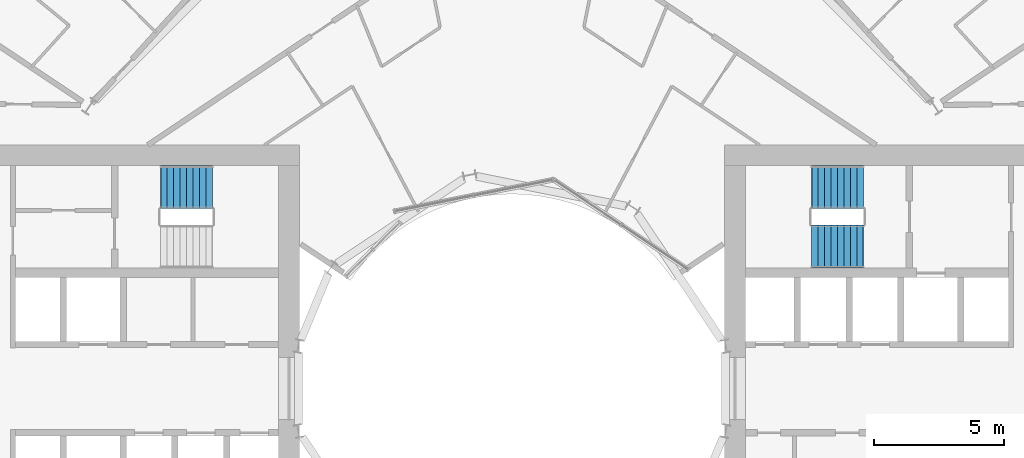
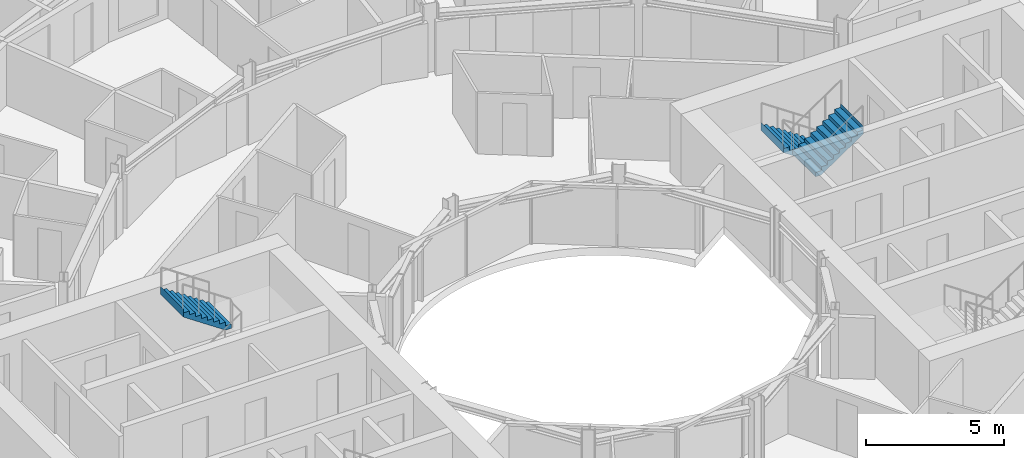
# One storey, part 24 of 26: 3 stair flights, 2 elements without a shape of their own.
"""IFC4 building model written with IfcOpenShell, lengths in metres."""

from ifc_helpers import new_model, si_unit, direction, frame, origin, place, context, subcontext, project, spatial, triangles, material, type_object, element, aggregate, save


model = new_model("IFC4")

# Units and contexts
model_context = context("Model", 3, precision=1e-05, world=origin(), true_north=direction((0.0, 1.0)))
body_context = subcontext(model_context, "Body", "Model", "MODEL_VIEW")
ifc_project = project(units=[si_unit("LENGTHUNIT", "METRE"), si_unit("AREAUNIT", "SQUARE_METRE"), si_unit("VOLUMEUNIT", "CUBIC_METRE"), si_unit("PLANEANGLEUNIT", "RADIAN"), si_unit("MASSUNIT", "GRAM", prefix="KILO")], contexts=[model_context])

# Site, building, storey
site_placement = place(None, origin())
site = spatial("IfcSite", under=ifc_project, at=site_placement, CompositionType="ELEMENT")
building_placement = place(site_placement, origin())
building = spatial("IfcBuilding", under=site, at=building_placement, Name="Maasbend Ring Residences", CompositionType="ELEMENT")
storey_placement = place(building_placement, frame((0.0, 0.0, 31.949951171875)))
storey = spatial("IfcBuildingStorey", under=building, at=storey_placement, Name="L08", CompositionType="ELEMENT", Elevation=31.949951171875)

# Stair, stair flights
ifc_material_1 = material(Name="Concrete C40/50", Category="concrete")
stair_type = type_object("IfcStairType", Name="CORE STAIR 18 RISERS", PredefinedType="HALF_TURN_STAIR", material=ifc_material_1)
stair_1_placement = place(storey_placement, origin())
stair_1 = element("IfcStair", 1, at=stair_1_placement, inside=storey, type_object=stair_type, Name="L08 Exit stair ST-E1", PredefinedType="HALF_TURN_STAIR")
ifc_material_2 = material(Name="Concrete C40/50", Category="concrete")
stair_flight_type = type_object("IfcStairFlightType", Name="CORE STAIR FLIGHT 1650", PredefinedType="STRAIGHT", material=ifc_material_2)
stair_flight_1_placement = place(storey_placement, frame((13.550048828125, 7.77490234375, 0.0), z_axis=(0.0, 0.0, 1.0), x_axis=(-1.0, 0.0, 0.0)))
stair_flight_1 = element("IfcStairFlight", 2, at=stair_flight_1_placement, type_object=stair_flight_type, Name="ST-E1 flight 1", NumberOfRisers=9, NumberOfTreads=8, PredefinedType="STRAIGHT", RiserHeight=0.169444444, TreadLength=0.25, context=body_context, shape_type="Tessellation", body=[
    triangles([(0.24072265625, 0.824951171875, -0.02001953125), (2.0029296875, 0.824951171875, 1.174560546875), (2.0029296875, 0.824951171875, 1.52490234375), (1.989990234375, 0.824951171875, 1.35546875), (1.75, 0.824951171875, 1.35546875), (1.75, 0.824951171875, 1.18603515625), (1.5, 0.824951171875, 1.18603515625), (1.5, 0.824951171875, 1.0166015625), (1.25, 0.824951171875, 1.0166015625), (1.25, 0.824951171875, 0.84716796875), (1.0, 0.824951171875, 0.84716796875), (1.0, 0.824951171875, 0.677734375), (0.75, 0.824951171875, 0.677734375), (0.75, 0.824951171875, 0.50830078125), (0.5, 0.824951171875, 0.50830078125), (0.5, 0.824951171875, 0.3388671875), (0.25, 0.824951171875, 0.3388671875), (0.25, 0.824951171875, 0.16943359375), (0.0, 0.824951171875, 0.16943359375), (0.0, 0.824951171875, 0.0), (-0.0029296875, 0.824951171875, 0.0), (-0.0029296875, 0.824951171875, -0.02001953125), (0.24072265625, 0.27490234375, -0.02001953125), (2.0029296875, 0.27490234375, 1.174560546875), (2.0029296875, 0.27490234375, 1.52490234375), (1.989990234375, 0.27490234375, 1.35546875), (1.75, 0.27490234375, 1.35546875), (1.75, 0.27490234375, 1.18603515625), (1.5, 0.27490234375, 1.18603515625), (1.5, 0.27490234375, 1.0166015625), (1.25, 0.27490234375, 1.0166015625), (1.25, 0.27490234375, 0.84716796875), (1.0, 0.27490234375, 0.84716796875), (1.0, 0.27490234375, 0.677734375), (0.75, 0.27490234375, 0.677734375), (0.75, 0.27490234375, 0.50830078125), (0.5, 0.27490234375, 0.50830078125), (0.5, 0.27490234375, 0.3388671875), (0.25, 0.27490234375, 0.3388671875), (0.25, 0.27490234375, 0.16943359375), (0.0, 0.27490234375, 0.16943359375), (0.0, 0.27490234375, 0.0), (-0.0029296875, 0.27490234375, 0.0), (-0.0029296875, 0.27490234375, -0.02001953125), (0.24072265625, -0.27490234375, -0.02001953125), (2.0029296875, -0.27490234375, 1.174560546875), (2.0029296875, -0.27490234375, 1.52490234375), (1.989990234375, -0.27490234375, 1.35546875), (1.75, -0.27490234375, 1.35546875), (1.75, -0.27490234375, 1.18603515625), (1.5, -0.27490234375, 1.18603515625), (1.5, -0.27490234375, 1.0166015625), (1.25, -0.27490234375, 1.0166015625), (1.25, -0.27490234375, 0.84716796875), (1.0, -0.27490234375, 0.84716796875), (1.0, -0.27490234375, 0.677734375), (0.75, -0.27490234375, 0.677734375), (0.75, -0.27490234375, 0.50830078125), (0.5, -0.27490234375, 0.50830078125), (0.5, -0.27490234375, 0.3388671875), (0.25, -0.27490234375, 0.3388671875), (0.25, -0.27490234375, 0.16943359375), (0.0, -0.27490234375, 0.16943359375), (0.0, -0.27490234375, 0.0), (-0.0029296875, -0.27490234375, 0.0), (-0.0029296875, -0.27490234375, -0.02001953125), (0.24072265625, -0.824951171875, -0.02001953125), (2.0029296875, -0.824951171875, 1.174560546875), (2.0029296875, -0.824951171875, 1.52490234375), (1.989990234375, -0.824951171875, 1.35546875), (1.75, -0.824951171875, 1.35546875), (1.75, -0.824951171875, 1.18603515625), (1.5, -0.824951171875, 1.18603515625), (1.5, -0.824951171875, 1.0166015625), (1.25, -0.824951171875, 1.0166015625), (1.25, -0.824951171875, 0.84716796875), (1.0, -0.824951171875, 0.84716796875), (1.0, -0.824951171875, 0.677734375), (0.75, -0.824951171875, 0.677734375), (0.75, -0.824951171875, 0.50830078125), (0.5, -0.824951171875, 0.50830078125), (0.5, -0.824951171875, 0.3388671875), (0.25, -0.824951171875, 0.3388671875), (0.25, -0.824951171875, 0.16943359375), (0.0, -0.824951171875, 0.16943359375), (0.0, -0.824951171875, 0.0), (-0.0029296875, -0.824951171875, 0.0), (-0.0029296875, -0.824951171875, -0.02001953125)], [[1, 2, 24], [1, 24, 23], [23, 24, 46], [23, 46, 45], [45, 46, 68], [45, 68, 67], [2, 3, 25], [2, 25, 24], [24, 25, 47], [24, 47, 46], [46, 47, 69], [46, 69, 68], [3, 4, 26], [3, 26, 25], [25, 26, 48], [25, 48, 47], [47, 48, 70], [47, 70, 69], [4, 5, 27], [4, 27, 26], [26, 27, 49], [26, 49, 48], [48, 49, 71], [48, 71, 70], [5, 6, 28], [5, 28, 27], [27, 28, 50], [27, 50, 49], [49, 50, 72], [49, 72, 71], [6, 7, 29], [6, 29, 28], [28, 29, 51], [28, 51, 50], [50, 51, 73], [50, 73, 72], [7, 8, 30], [7, 30, 29], [29, 30, 52], [29, 52, 51], [51, 52, 74], [51, 74, 73], [8, 9, 31], [8, 31, 30], [30, 31, 53], [30, 53, 52], [52, 53, 75], [52, 75, 74], [9, 10, 32], [9, 32, 31], [31, 32, 54], [31, 54, 53], [53, 54, 76], [53, 76, 75], [10, 11, 33], [10, 33, 32], [32, 33, 55], [32, 55, 54], [54, 55, 77], [54, 77, 76], [11, 12, 34], [11, 34, 33], [33, 34, 56], [33, 56, 55], [55, 56, 78], [55, 78, 77], [12, 13, 35], [12, 35, 34], [34, 35, 57], [34, 57, 56], [56, 57, 79], [56, 79, 78], [13, 14, 36], [13, 36, 35], [35, 36, 58], [35, 58, 57], [57, 58, 80], [57, 80, 79], [14, 15, 37], [14, 37, 36], [36, 37, 59], [36, 59, 58], [58, 59, 81], [58, 81, 80], [15, 16, 38], [15, 38, 37], [37, 38, 60], [37, 60, 59], [59, 60, 82], [59, 82, 81], [16, 17, 39], [16, 39, 38], [38, 39, 61], [38, 61, 60], [60, 61, 83], [60, 83, 82], [17, 18, 40], [17, 40, 39], [39, 40, 62], [39, 62, 61], [61, 62, 84], [61, 84, 83], [18, 19, 41], [18, 41, 40], [40, 41, 63], [40, 63, 62], [62, 63, 85], [62, 85, 84], [19, 20, 42], [19, 42, 41], [41, 42, 64], [41, 64, 63], [63, 64, 86], [63, 86, 85], [20, 21, 43], [20, 43, 42], [42, 43, 65], [42, 65, 64], [64, 65, 87], [64, 87, 86], [21, 22, 44], [21, 44, 43], [43, 44, 66], [43, 66, 65], [65, 66, 88], [65, 88, 87], [22, 1, 23], [22, 23, 44], [44, 23, 45], [44, 45, 66], [66, 45, 67], [66, 67, 88], [22, 2, 1], [2, 4, 3], [2, 5, 4], [2, 6, 5], [22, 6, 2], [6, 8, 7], [22, 8, 6], [8, 10, 9], [22, 10, 8], [10, 12, 11], [22, 12, 10], [12, 14, 13], [22, 14, 12], [14, 16, 15], [22, 16, 14], [16, 18, 17], [22, 18, 16], [18, 20, 19], [22, 20, 18], [20, 22, 21], [88, 67, 68], [68, 69, 70], [68, 70, 71], [68, 71, 72], [88, 68, 72], [72, 73, 74], [88, 72, 74], [74, 75, 76], [88, 74, 76], [76, 77, 78], [88, 76, 78], [78, 79, 80], [88, 78, 80], [80, 81, 82], [88, 80, 82], [82, 83, 84], [88, 82, 84], [84, 85, 86], [88, 84, 86], [86, 87, 88]], closed=True),
])
stair_flight_2_placement = place(storey_placement, frame((11.550048828125, 5.47509765625, 1.525146484375), z_axis=(0.0, 0.0, 1.0), x_axis=(1.0, 0.0, 0.0)))
stair_flight_2 = element("IfcStairFlight", 3, at=stair_flight_2_placement, type_object=stair_flight_type, Name="ST-E1 flight 2", NumberOfRisers=9, NumberOfTreads=8, PredefinedType="STRAIGHT", RiserHeight=0.169444444, TreadLength=0.25, context=body_context, shape_type="Tessellation", body=[
    triangles([(0.24072265625, 0.824951171875, -0.02001953125), (2.0029296875, 0.824951171875, 1.174560546875), (2.0029296875, 0.824951171875, 1.52490234375), (1.989990234375, 0.824951171875, 1.35546875), (1.75, 0.824951171875, 1.35546875), (1.75, 0.824951171875, 1.18603515625), (1.5, 0.824951171875, 1.18603515625), (1.5, 0.824951171875, 1.0166015625), (1.25, 0.824951171875, 1.0166015625), (1.25, 0.824951171875, 0.84716796875), (1.0, 0.824951171875, 0.84716796875), (1.0, 0.824951171875, 0.677734375), (0.75, 0.824951171875, 0.677734375), (0.75, 0.824951171875, 0.50830078125), (0.5, 0.824951171875, 0.50830078125), (0.5, 0.824951171875, 0.3388671875), (0.25, 0.824951171875, 0.3388671875), (0.25, 0.824951171875, 0.16943359375), (0.0, 0.824951171875, 0.16943359375), (0.0, 0.824951171875, 0.0), (-0.0029296875, 0.824951171875, 0.0), (-0.0029296875, 0.824951171875, -0.02001953125), (0.24072265625, 0.27490234375, -0.02001953125), (2.0029296875, 0.27490234375, 1.174560546875), (2.0029296875, 0.27490234375, 1.52490234375), (1.989990234375, 0.27490234375, 1.35546875), (1.75, 0.27490234375, 1.35546875), (1.75, 0.27490234375, 1.18603515625), (1.5, 0.27490234375, 1.18603515625), (1.5, 0.27490234375, 1.0166015625), (1.25, 0.27490234375, 1.0166015625), (1.25, 0.27490234375, 0.84716796875), (1.0, 0.27490234375, 0.84716796875), (1.0, 0.27490234375, 0.677734375), (0.75, 0.27490234375, 0.677734375), (0.75, 0.27490234375, 0.50830078125), (0.5, 0.27490234375, 0.50830078125), (0.5, 0.27490234375, 0.3388671875), (0.25, 0.27490234375, 0.3388671875), (0.25, 0.27490234375, 0.16943359375), (0.0, 0.27490234375, 0.16943359375), (0.0, 0.27490234375, 0.0), (-0.0029296875, 0.27490234375, 0.0), (-0.0029296875, 0.27490234375, -0.02001953125), (0.24072265625, -0.27490234375, -0.02001953125), (2.0029296875, -0.27490234375, 1.174560546875), (2.0029296875, -0.27490234375, 1.52490234375), (1.989990234375, -0.27490234375, 1.35546875), (1.75, -0.27490234375, 1.35546875), (1.75, -0.27490234375, 1.18603515625), (1.5, -0.27490234375, 1.18603515625), (1.5, -0.27490234375, 1.0166015625), (1.25, -0.27490234375, 1.0166015625), (1.25, -0.27490234375, 0.84716796875), (1.0, -0.27490234375, 0.84716796875), (1.0, -0.27490234375, 0.677734375), (0.75, -0.27490234375, 0.677734375), (0.75, -0.27490234375, 0.50830078125), (0.5, -0.27490234375, 0.50830078125), (0.5, -0.27490234375, 0.3388671875), (0.25, -0.27490234375, 0.3388671875), (0.25, -0.27490234375, 0.16943359375), (0.0, -0.27490234375, 0.16943359375), (0.0, -0.27490234375, 0.0), (-0.0029296875, -0.27490234375, 0.0), (-0.0029296875, -0.27490234375, -0.02001953125), (0.24072265625, -0.824951171875, -0.02001953125), (2.0029296875, -0.824951171875, 1.174560546875), (2.0029296875, -0.824951171875, 1.52490234375), (1.989990234375, -0.824951171875, 1.35546875), (1.75, -0.824951171875, 1.35546875), (1.75, -0.824951171875, 1.18603515625), (1.5, -0.824951171875, 1.18603515625), (1.5, -0.824951171875, 1.0166015625), (1.25, -0.824951171875, 1.0166015625), (1.25, -0.824951171875, 0.84716796875), (1.0, -0.824951171875, 0.84716796875), (1.0, -0.824951171875, 0.677734375), (0.75, -0.824951171875, 0.677734375), (0.75, -0.824951171875, 0.50830078125), (0.5, -0.824951171875, 0.50830078125), (0.5, -0.824951171875, 0.3388671875), (0.25, -0.824951171875, 0.3388671875), (0.25, -0.824951171875, 0.16943359375), (0.0, -0.824951171875, 0.16943359375), (0.0, -0.824951171875, 0.0), (-0.0029296875, -0.824951171875, 0.0), (-0.0029296875, -0.824951171875, -0.02001953125)], [[1, 2, 24], [1, 24, 23], [23, 24, 46], [23, 46, 45], [45, 46, 68], [45, 68, 67], [2, 3, 25], [2, 25, 24], [24, 25, 47], [24, 47, 46], [46, 47, 69], [46, 69, 68], [3, 4, 26], [3, 26, 25], [25, 26, 48], [25, 48, 47], [47, 48, 70], [47, 70, 69], [4, 5, 27], [4, 27, 26], [26, 27, 49], [26, 49, 48], [48, 49, 71], [48, 71, 70], [5, 6, 28], [5, 28, 27], [27, 28, 50], [27, 50, 49], [49, 50, 72], [49, 72, 71], [6, 7, 29], [6, 29, 28], [28, 29, 51], [28, 51, 50], [50, 51, 73], [50, 73, 72], [7, 8, 30], [7, 30, 29], [29, 30, 52], [29, 52, 51], [51, 52, 74], [51, 74, 73], [8, 9, 31], [8, 31, 30], [30, 31, 53], [30, 53, 52], [52, 53, 75], [52, 75, 74], [9, 10, 32], [9, 32, 31], [31, 32, 54], [31, 54, 53], [53, 54, 76], [53, 76, 75], [10, 11, 33], [10, 33, 32], [32, 33, 55], [32, 55, 54], [54, 55, 77], [54, 77, 76], [11, 12, 34], [11, 34, 33], [33, 34, 56], [33, 56, 55], [55, 56, 78], [55, 78, 77], [12, 13, 35], [12, 35, 34], [34, 35, 57], [34, 57, 56], [56, 57, 79], [56, 79, 78], [13, 14, 36], [13, 36, 35], [35, 36, 58], [35, 58, 57], [57, 58, 80], [57, 80, 79], [14, 15, 37], [14, 37, 36], [36, 37, 59], [36, 59, 58], [58, 59, 81], [58, 81, 80], [15, 16, 38], [15, 38, 37], [37, 38, 60], [37, 60, 59], [59, 60, 82], [59, 82, 81], [16, 17, 39], [16, 39, 38], [38, 39, 61], [38, 61, 60], [60, 61, 83], [60, 83, 82], [17, 18, 40], [17, 40, 39], [39, 40, 62], [39, 62, 61], [61, 62, 84], [61, 84, 83], [18, 19, 41], [18, 41, 40], [40, 41, 63], [40, 63, 62], [62, 63, 85], [62, 85, 84], [19, 20, 42], [19, 42, 41], [41, 42, 64], [41, 64, 63], [63, 64, 86], [63, 86, 85], [20, 21, 43], [20, 43, 42], [42, 43, 65], [42, 65, 64], [64, 65, 87], [64, 87, 86], [21, 22, 44], [21, 44, 43], [43, 44, 66], [43, 66, 65], [65, 66, 88], [65, 88, 87], [22, 1, 23], [22, 23, 44], [44, 23, 45], [44, 45, 66], [66, 45, 67], [66, 67, 88], [22, 2, 1], [2, 4, 3], [2, 5, 4], [2, 6, 5], [22, 6, 2], [6, 8, 7], [22, 8, 6], [8, 10, 9], [22, 10, 8], [10, 12, 11], [22, 12, 10], [12, 14, 13], [22, 14, 12], [14, 16, 15], [22, 16, 14], [16, 18, 17], [22, 18, 16], [18, 20, 19], [22, 20, 18], [20, 22, 21], [88, 67, 68], [68, 69, 70], [68, 70, 71], [68, 71, 72], [88, 68, 72], [72, 73, 74], [88, 72, 74], [74, 75, 76], [88, 74, 76], [76, 77, 78], [88, 76, 78], [78, 79, 80], [88, 78, 80], [80, 81, 82], [88, 80, 82], [82, 83, 84], [88, 82, 84], [84, 85, 86], [88, 84, 86], [86, 87, 88]], closed=True),
])
aggregate(stair_1, [stair_flight_1, stair_flight_2])

# Stair, stair flight
stair_2_placement = place(storey_placement, origin())
stair_2 = element("IfcStair", 4, at=stair_2_placement, inside=storey, type_object=stair_type, Name="L08 Exit stair ST-W2", PredefinedType="HALF_TURN_STAIR")
stair_flight_3_placement = place(storey_placement, frame((-11.550048828125, 7.77490234375, 1.525146484375), z_axis=(0.0, 0.0, 1.0), x_axis=(-1.0, 0.0, 0.0)))
stair_flight_3 = element("IfcStairFlight", 5, at=stair_flight_3_placement, type_object=stair_flight_type, Name="ST-W2 flight 2", NumberOfRisers=9, NumberOfTreads=8, PredefinedType="STRAIGHT", RiserHeight=0.169444444, TreadLength=0.25, context=body_context, shape_type="Tessellation", body=[
    triangles([(0.24072265625, 0.824951171875, -0.02001953125), (2.0029296875, 0.824951171875, 1.174560546875), (2.0029296875, 0.824951171875, 1.52490234375), (1.989990234375, 0.824951171875, 1.35546875), (1.75, 0.824951171875, 1.35546875), (1.75, 0.824951171875, 1.18603515625), (1.5, 0.824951171875, 1.18603515625), (1.5, 0.824951171875, 1.0166015625), (1.25, 0.824951171875, 1.0166015625), (1.25, 0.824951171875, 0.84716796875), (1.0, 0.824951171875, 0.84716796875), (1.0, 0.824951171875, 0.677734375), (0.75, 0.824951171875, 0.677734375), (0.75, 0.824951171875, 0.50830078125), (0.5, 0.824951171875, 0.50830078125), (0.5, 0.824951171875, 0.3388671875), (0.25, 0.824951171875, 0.3388671875), (0.25, 0.824951171875, 0.16943359375), (0.0, 0.824951171875, 0.16943359375), (0.0, 0.824951171875, 0.0), (-0.0029296875, 0.824951171875, 0.0), (-0.0029296875, 0.824951171875, -0.02001953125), (0.24072265625, 0.27490234375, -0.02001953125), (2.0029296875, 0.27490234375, 1.174560546875), (2.0029296875, 0.27490234375, 1.52490234375), (1.989990234375, 0.27490234375, 1.35546875), (1.75, 0.27490234375, 1.35546875), (1.75, 0.27490234375, 1.18603515625), (1.5, 0.27490234375, 1.18603515625), (1.5, 0.27490234375, 1.0166015625), (1.25, 0.27490234375, 1.0166015625), (1.25, 0.27490234375, 0.84716796875), (1.0, 0.27490234375, 0.84716796875), (1.0, 0.27490234375, 0.677734375), (0.75, 0.27490234375, 0.677734375), (0.75, 0.27490234375, 0.50830078125), (0.5, 0.27490234375, 0.50830078125), (0.5, 0.27490234375, 0.3388671875), (0.25, 0.27490234375, 0.3388671875), (0.25, 0.27490234375, 0.16943359375), (0.0, 0.27490234375, 0.16943359375), (0.0, 0.27490234375, 0.0), (-0.0029296875, 0.27490234375, 0.0), (-0.0029296875, 0.27490234375, -0.02001953125), (0.24072265625, -0.27490234375, -0.02001953125), (2.0029296875, -0.27490234375, 1.174560546875), (2.0029296875, -0.27490234375, 1.52490234375), (1.989990234375, -0.27490234375, 1.35546875), (1.75, -0.27490234375, 1.35546875), (1.75, -0.27490234375, 1.18603515625), (1.5, -0.27490234375, 1.18603515625), (1.5, -0.27490234375, 1.0166015625), (1.25, -0.27490234375, 1.0166015625), (1.25, -0.27490234375, 0.84716796875), (1.0, -0.27490234375, 0.84716796875), (1.0, -0.27490234375, 0.677734375), (0.75, -0.27490234375, 0.677734375), (0.75, -0.27490234375, 0.50830078125), (0.5, -0.27490234375, 0.50830078125), (0.5, -0.27490234375, 0.3388671875), (0.25, -0.27490234375, 0.3388671875), (0.25, -0.27490234375, 0.16943359375), (0.0, -0.27490234375, 0.16943359375), (0.0, -0.27490234375, 0.0), (-0.0029296875, -0.27490234375, 0.0), (-0.0029296875, -0.27490234375, -0.02001953125), (0.24072265625, -0.824951171875, -0.02001953125), (2.0029296875, -0.824951171875, 1.174560546875), (2.0029296875, -0.824951171875, 1.52490234375), (1.989990234375, -0.824951171875, 1.35546875), (1.75, -0.824951171875, 1.35546875), (1.75, -0.824951171875, 1.18603515625), (1.5, -0.824951171875, 1.18603515625), (1.5, -0.824951171875, 1.0166015625), (1.25, -0.824951171875, 1.0166015625), (1.25, -0.824951171875, 0.84716796875), (1.0, -0.824951171875, 0.84716796875), (1.0, -0.824951171875, 0.677734375), (0.75, -0.824951171875, 0.677734375), (0.75, -0.824951171875, 0.50830078125), (0.5, -0.824951171875, 0.50830078125), (0.5, -0.824951171875, 0.3388671875), (0.25, -0.824951171875, 0.3388671875), (0.25, -0.824951171875, 0.16943359375), (0.0, -0.824951171875, 0.16943359375), (0.0, -0.824951171875, 0.0), (-0.0029296875, -0.824951171875, 0.0), (-0.0029296875, -0.824951171875, -0.02001953125)], [[1, 2, 24], [1, 24, 23], [23, 24, 46], [23, 46, 45], [45, 46, 68], [45, 68, 67], [2, 3, 25], [2, 25, 24], [24, 25, 47], [24, 47, 46], [46, 47, 69], [46, 69, 68], [3, 4, 26], [3, 26, 25], [25, 26, 48], [25, 48, 47], [47, 48, 70], [47, 70, 69], [4, 5, 27], [4, 27, 26], [26, 27, 49], [26, 49, 48], [48, 49, 71], [48, 71, 70], [5, 6, 28], [5, 28, 27], [27, 28, 50], [27, 50, 49], [49, 50, 72], [49, 72, 71], [6, 7, 29], [6, 29, 28], [28, 29, 51], [28, 51, 50], [50, 51, 73], [50, 73, 72], [7, 8, 30], [7, 30, 29], [29, 30, 52], [29, 52, 51], [51, 52, 74], [51, 74, 73], [8, 9, 31], [8, 31, 30], [30, 31, 53], [30, 53, 52], [52, 53, 75], [52, 75, 74], [9, 10, 32], [9, 32, 31], [31, 32, 54], [31, 54, 53], [53, 54, 76], [53, 76, 75], [10, 11, 33], [10, 33, 32], [32, 33, 55], [32, 55, 54], [54, 55, 77], [54, 77, 76], [11, 12, 34], [11, 34, 33], [33, 34, 56], [33, 56, 55], [55, 56, 78], [55, 78, 77], [12, 13, 35], [12, 35, 34], [34, 35, 57], [34, 57, 56], [56, 57, 79], [56, 79, 78], [13, 14, 36], [13, 36, 35], [35, 36, 58], [35, 58, 57], [57, 58, 80], [57, 80, 79], [14, 15, 37], [14, 37, 36], [36, 37, 59], [36, 59, 58], [58, 59, 81], [58, 81, 80], [15, 16, 38], [15, 38, 37], [37, 38, 60], [37, 60, 59], [59, 60, 82], [59, 82, 81], [16, 17, 39], [16, 39, 38], [38, 39, 61], [38, 61, 60], [60, 61, 83], [60, 83, 82], [17, 18, 40], [17, 40, 39], [39, 40, 62], [39, 62, 61], [61, 62, 84], [61, 84, 83], [18, 19, 41], [18, 41, 40], [40, 41, 63], [40, 63, 62], [62, 63, 85], [62, 85, 84], [19, 20, 42], [19, 42, 41], [41, 42, 64], [41, 64, 63], [63, 64, 86], [63, 86, 85], [20, 21, 43], [20, 43, 42], [42, 43, 65], [42, 65, 64], [64, 65, 87], [64, 87, 86], [21, 22, 44], [21, 44, 43], [43, 44, 66], [43, 66, 65], [65, 66, 88], [65, 88, 87], [22, 1, 23], [22, 23, 44], [44, 23, 45], [44, 45, 66], [66, 45, 67], [66, 67, 88], [22, 2, 1], [2, 4, 3], [2, 5, 4], [2, 6, 5], [22, 6, 2], [6, 8, 7], [22, 8, 6], [8, 10, 9], [22, 10, 8], [10, 12, 11], [22, 12, 10], [12, 14, 13], [22, 14, 12], [14, 16, 15], [22, 16, 14], [16, 18, 17], [22, 18, 16], [18, 20, 19], [22, 20, 18], [20, 22, 21], [88, 67, 68], [68, 69, 70], [68, 70, 71], [68, 71, 72], [88, 68, 72], [72, 73, 74], [88, 72, 74], [74, 75, 76], [88, 74, 76], [76, 77, 78], [88, 76, 78], [78, 79, 80], [88, 78, 80], [80, 81, 82], [88, 80, 82], [82, 83, 84], [88, 82, 84], [84, 85, 86], [88, 84, 86], [86, 87, 88]], closed=True),
])
aggregate(stair_2, [stair_flight_3])

save(model, "model.ifc")
